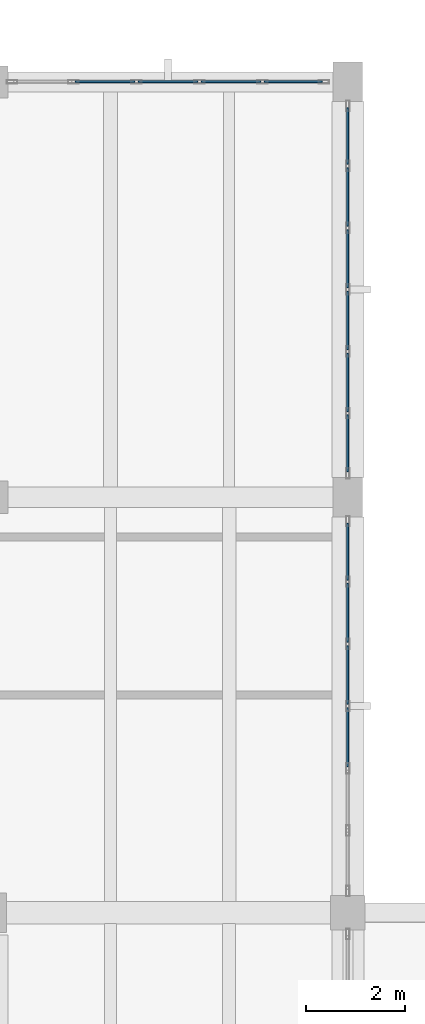
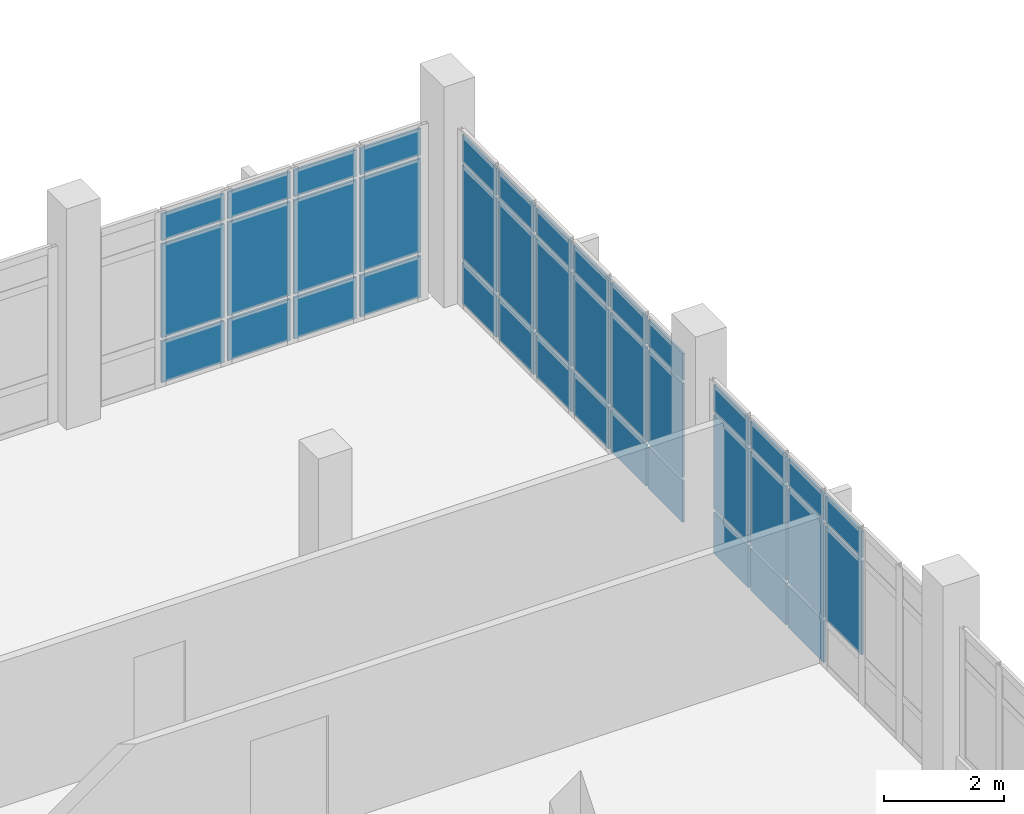
# One storey, part 103 of 124: 41 plates, 3 elements without a shape of their own.
"""IFC4 building model written with IfcOpenShell, lengths in metres."""

from ifc_helpers import new_model, si_unit, direction, frame, origin, origin_2d, place, context, subcontext, project, spatial, rectangle, extrude, material, layer, layer_set, type_object, element, aggregate, save


model = new_model("IFC4")

# Units and contexts
model_context = context("Model", 3, precision=1e-05, world=origin(), true_north=direction((0.0, 1.0)))
body_context = subcontext(model_context, "Body", "Model", "MODEL_VIEW")
ifc_project = project(units=[si_unit("LENGTHUNIT", "METRE"), si_unit("AREAUNIT", "SQUARE_METRE"), si_unit("VOLUMEUNIT", "CUBIC_METRE"), si_unit("PLANEANGLEUNIT", "RADIAN"), si_unit("MASSUNIT", "GRAM", prefix="KILO")], contexts=[model_context])

# Site, building, storey
site_placement = place(None, origin())
site = spatial("IfcSite", under=ifc_project, at=site_placement, CompositionType="ELEMENT")
building_placement = place(site_placement, origin())
building = spatial("IfcBuilding", under=site, at=building_placement, Name="Kalluvel Institute of Natural Sciences", CompositionType="ELEMENT")
storey_placement = place(building_placement, frame((0.0, 0.0, 9.89990234375)))
storey = spatial("IfcBuildingStorey", under=building, at=storey_placement, Name="L02", CompositionType="ELEMENT", Elevation=9.89990234375)

# Curtain wall, plates
ifc_material_1 = material(Name="Aluminium AW-6063 T6", Category="aluminium")
curtain_wall_type = type_object("IfcCurtainWallType", Name="CW-WET-45", PredefinedType="USERDEFINED", material=ifc_material_1)
curtain_wall_1_placement = place(storey_placement, origin())
curtain_wall_1 = element("IfcCurtainWall", 1, at=curtain_wall_1_placement, inside=storey, type_object=curtain_wall_type, Name="L02 Gothic lancet curtain wall CWA-L02-X1080-Y1280", ObjectType="UNITISED LANCET FACADE", PredefinedType="USERDEFINED")
ifc_material_2 = material(Name="Solar-Control Low-E Laminated Glass", Category="glass")
ifc_layer = layer(ifc_material_2, 0.0400390625)
ifc_layer_set = layer_set([ifc_layer], Name="Solar-Control Low-E Laminated Glass")
plate_type = type_object("IfcPlateType", Name="CWP-SPN-40", PredefinedType="CURTAIN_PANEL", material=ifc_layer_set)
plate_1_placement = place(storey_placement, frame((109.887451171875, 128.0, 0.0703125), z_axis=(0.0, 0.0, 1.0), x_axis=(1.0, 0.0, 0.0)))
plate_1 = element("IfcPlate", 2, at=plate_1_placement, type_object=plate_type, Name="CW-01 panel 2.1", PredefinedType="CURTAIN_PANEL", context=body_context, shape_type="SweptSolid", body=[
    extrude(rectangle(XDim=1.205078125, YDim=0.0400390625, at=origin_2d()), origin(), (0.0, 0.0, 1.0), 0.844970703125),
])
plate_2_placement = place(storey_placement, frame((109.887451171875, 128.0, 0.9853515625), z_axis=(0.0, 0.0, 1.0), x_axis=(1.0, 0.0, 0.0)))
plate_2 = element("IfcPlate", 3, at=plate_2_placement, type_object=plate_type, Name="CW-01 panel 2.2", PredefinedType="CURTAIN_PANEL", context=body_context, shape_type="SweptSolid", body=[
    extrude(rectangle(XDim=1.205078125, YDim=0.0400390625, at=origin_2d()), origin(), (0.0, 0.0, 1.0), 1.909912109375),
])
plate_3_placement = place(storey_placement, frame((109.887451171875, 128.0, 2.965087890625), z_axis=(0.0, 0.0, 1.0), x_axis=(1.0, 0.0, 0.0)))
plate_3 = element("IfcPlate", 4, at=plate_3_placement, type_object=plate_type, Name="CW-01 panel 2.3", PredefinedType="CURTAIN_PANEL", context=body_context, shape_type="SweptSolid", body=[
    extrude(rectangle(XDim=1.205078125, YDim=0.0400390625, at=origin_2d()), origin(), (0.0, 0.0, 1.0), 0.544921875),
])
plate_4_placement = place(storey_placement, frame((111.16259765625, 128.0, 0.0703125), z_axis=(0.0, 0.0, 1.0), x_axis=(1.0, 0.0, 0.0)))
plate_4 = element("IfcPlate", 5, at=plate_4_placement, type_object=plate_type, Name="CW-01 panel 3.1", PredefinedType="CURTAIN_PANEL", context=body_context, shape_type="SweptSolid", body=[
    extrude(rectangle(XDim=1.205078125, YDim=0.0400390625, at=origin_2d()), origin(), (0.0, 0.0, 1.0), 0.844970703125),
])
plate_5_placement = place(storey_placement, frame((111.16259765625, 128.0, 0.9853515625), z_axis=(0.0, 0.0, 1.0), x_axis=(1.0, 0.0, 0.0)))
plate_5 = element("IfcPlate", 6, at=plate_5_placement, type_object=plate_type, Name="CW-01 panel 3.2", PredefinedType="CURTAIN_PANEL", context=body_context, shape_type="SweptSolid", body=[
    extrude(rectangle(XDim=1.205078125, YDim=0.0400390625, at=origin_2d()), origin(), (0.0, 0.0, 1.0), 1.909912109375),
])
plate_6_placement = place(storey_placement, frame((111.16259765625, 128.0, 2.965087890625), z_axis=(0.0, 0.0, 1.0), x_axis=(1.0, 0.0, 0.0)))
plate_6 = element("IfcPlate", 7, at=plate_6_placement, type_object=plate_type, Name="CW-01 panel 3.3", PredefinedType="CURTAIN_PANEL", context=body_context, shape_type="SweptSolid", body=[
    extrude(rectangle(XDim=1.205078125, YDim=0.0400390625, at=origin_2d()), origin(), (0.0, 0.0, 1.0), 0.544921875),
])
plate_7_placement = place(storey_placement, frame((112.4375, 128.0, 0.0703125), z_axis=(0.0, 0.0, 1.0), x_axis=(1.0, 0.0, 0.0)))
plate_7 = element("IfcPlate", 8, at=plate_7_placement, type_object=plate_type, Name="CW-01 panel 4.1", PredefinedType="CURTAIN_PANEL", context=body_context, shape_type="SweptSolid", body=[
    extrude(rectangle(XDim=1.205078125, YDim=0.0400390625, at=origin_2d()), origin(), (0.0, 0.0, 1.0), 0.844970703125),
])
plate_8_placement = place(storey_placement, frame((112.4375, 128.0, 0.9853515625), z_axis=(0.0, 0.0, 1.0), x_axis=(1.0, 0.0, 0.0)))
plate_8 = element("IfcPlate", 9, at=plate_8_placement, type_object=plate_type, Name="CW-01 panel 4.2", PredefinedType="CURTAIN_PANEL", context=body_context, shape_type="SweptSolid", body=[
    extrude(rectangle(XDim=1.205078125, YDim=0.0400390625, at=origin_2d()), origin(), (0.0, 0.0, 1.0), 1.909912109375),
])
plate_9_placement = place(storey_placement, frame((112.4375, 128.0, 2.965087890625), z_axis=(0.0, 0.0, 1.0), x_axis=(1.0, 0.0, 0.0)))
plate_9 = element("IfcPlate", 10, at=plate_9_placement, type_object=plate_type, Name="CW-01 panel 4.3", PredefinedType="CURTAIN_PANEL", context=body_context, shape_type="SweptSolid", body=[
    extrude(rectangle(XDim=1.205078125, YDim=0.0400390625, at=origin_2d()), origin(), (0.0, 0.0, 1.0), 0.544921875),
])
plate_10_placement = place(storey_placement, frame((113.695068359375, 128.0, 0.0703125), z_axis=(0.0, 0.0, 1.0), x_axis=(1.0, 0.0, 0.0)))
plate_10 = element("IfcPlate", 11, at=plate_10_placement, type_object=plate_type, Name="CW-01 panel 5.1", PredefinedType="CURTAIN_PANEL", context=body_context, shape_type="SweptSolid", body=[
    extrude(rectangle(XDim=1.169921875, YDim=0.0400390625, at=origin_2d()), origin(), (0.0, 0.0, 1.0), 0.844970703125),
])
plate_11_placement = place(storey_placement, frame((113.695068359375, 128.0, 0.9853515625), z_axis=(0.0, 0.0, 1.0), x_axis=(1.0, 0.0, 0.0)))
plate_11 = element("IfcPlate", 12, at=plate_11_placement, type_object=plate_type, Name="CW-01 panel 5.2", PredefinedType="CURTAIN_PANEL", context=body_context, shape_type="SweptSolid", body=[
    extrude(rectangle(XDim=1.169921875, YDim=0.0400390625, at=origin_2d()), origin(), (0.0, 0.0, 1.0), 1.909912109375),
])
plate_12_placement = place(storey_placement, frame((113.695068359375, 128.0, 2.965087890625), z_axis=(0.0, 0.0, 1.0), x_axis=(1.0, 0.0, 0.0)))
plate_12 = element("IfcPlate", 13, at=plate_12_placement, type_object=plate_type, Name="CW-01 panel 5.3", PredefinedType="CURTAIN_PANEL", context=body_context, shape_type="SweptSolid", body=[
    extrude(rectangle(XDim=1.169921875, YDim=0.0400390625, at=origin_2d()), origin(), (0.0, 0.0, 1.0), 0.544921875),
])
aggregate(curtain_wall_1, [plate_1, plate_2, plate_3, plate_4, plate_5, plate_6, plate_7, plate_8, plate_9, plate_10, plate_11, plate_12])

curtain_wall_2_placement = place(storey_placement, origin())
curtain_wall_2 = element("IfcCurtainWall", 14, at=curtain_wall_2_placement, inside=storey, type_object=curtain_wall_type, Name="L02 Gothic lancet curtain wall CWA-L02-X1148-Y1116", ObjectType="UNITISED LANCET FACADE", PredefinedType="USERDEFINED")
plate_13_placement = place(storey_placement, frame((114.800048828125, 114.745849609375, 0.9853515625), z_axis=(0.0, 0.0, 1.0), x_axis=(0.0, 1.0, 0.0)))
plate_13 = element("IfcPlate", 15, at=plate_13_placement, type_object=plate_type, Name="CW-01 panel 3.2", PredefinedType="CURTAIN_PANEL", context=body_context, shape_type="SweptSolid", body=[
    extrude(rectangle(XDim=1.188232421875, YDim=0.0400390625, at=origin_2d()), origin(), (0.0, 0.0, 1.0), 1.909912109375),
])
plate_14_placement = place(storey_placement, frame((114.800048828125, 114.745849609375, 2.965087890625), z_axis=(0.0, 0.0, 1.0), x_axis=(0.0, 1.0, 0.0)))
plate_14 = element("IfcPlate", 16, at=plate_14_placement, type_object=plate_type, Name="CW-01 panel 3.3", PredefinedType="CURTAIN_PANEL", context=body_context, shape_type="SweptSolid", body=[
    extrude(rectangle(XDim=1.188232421875, YDim=0.0400390625, at=origin_2d()), origin(), (0.0, 0.0, 1.0), 0.544921875),
])
plate_15_placement = place(storey_placement, frame((114.800048828125, 116.004150390625, 0.0703125), z_axis=(0.0, 0.0, 1.0), x_axis=(0.0, 1.0, 0.0)))
plate_15 = element("IfcPlate", 17, at=plate_15_placement, type_object=plate_type, Name="CW-01 panel 4.1", PredefinedType="CURTAIN_PANEL", context=body_context, shape_type="SweptSolid", body=[
    extrude(rectangle(XDim=1.188232421875, YDim=0.0400390625, at=origin_2d()), origin(), (0.0, 0.0, 1.0), 0.844970703125),
])
plate_16_placement = place(storey_placement, frame((114.800048828125, 116.004150390625, 0.9853515625), z_axis=(0.0, 0.0, 1.0), x_axis=(0.0, 1.0, 0.0)))
plate_16 = element("IfcPlate", 18, at=plate_16_placement, type_object=plate_type, Name="CW-01 panel 4.2", PredefinedType="CURTAIN_PANEL", context=body_context, shape_type="SweptSolid", body=[
    extrude(rectangle(XDim=1.188232421875, YDim=0.0400390625, at=origin_2d()), origin(), (0.0, 0.0, 1.0), 1.909912109375),
])
plate_17_placement = place(storey_placement, frame((114.800048828125, 116.004150390625, 2.965087890625), z_axis=(0.0, 0.0, 1.0), x_axis=(0.0, 1.0, 0.0)))
plate_17 = element("IfcPlate", 19, at=plate_17_placement, type_object=plate_type, Name="CW-01 panel 4.3", PredefinedType="CURTAIN_PANEL", context=body_context, shape_type="SweptSolid", body=[
    extrude(rectangle(XDim=1.188232421875, YDim=0.0400390625, at=origin_2d()), origin(), (0.0, 0.0, 1.0), 0.544921875),
])
plate_18_placement = place(storey_placement, frame((114.800048828125, 117.262451171875, 0.0703125), z_axis=(0.0, 0.0, 1.0), x_axis=(0.0, 1.0, 0.0)))
plate_18 = element("IfcPlate", 20, at=plate_18_placement, type_object=plate_type, Name="CW-01 panel 5.1", PredefinedType="CURTAIN_PANEL", context=body_context, shape_type="SweptSolid", body=[
    extrude(rectangle(XDim=1.188232421875, YDim=0.0400390625, at=origin_2d()), origin(), (0.0, 0.0, 1.0), 0.844970703125),
])
plate_19_placement = place(storey_placement, frame((114.800048828125, 117.262451171875, 0.9853515625), z_axis=(0.0, 0.0, 1.0), x_axis=(0.0, 1.0, 0.0)))
plate_19 = element("IfcPlate", 21, at=plate_19_placement, type_object=plate_type, Name="CW-01 panel 5.2", PredefinedType="CURTAIN_PANEL", context=body_context, shape_type="SweptSolid", body=[
    extrude(rectangle(XDim=1.188232421875, YDim=0.0400390625, at=origin_2d()), origin(), (0.0, 0.0, 1.0), 1.909912109375),
])
plate_20_placement = place(storey_placement, frame((114.800048828125, 117.262451171875, 2.965087890625), z_axis=(0.0, 0.0, 1.0), x_axis=(0.0, 1.0, 0.0)))
plate_20 = element("IfcPlate", 22, at=plate_20_placement, type_object=plate_type, Name="CW-01 panel 5.3", PredefinedType="CURTAIN_PANEL", context=body_context, shape_type="SweptSolid", body=[
    extrude(rectangle(XDim=1.188232421875, YDim=0.0400390625, at=origin_2d()), origin(), (0.0, 0.0, 1.0), 0.544921875),
])
plate_21_placement = place(storey_placement, frame((114.800048828125, 118.50341796875, 0.0703125), z_axis=(0.0, 0.0, 1.0), x_axis=(0.0, 1.0, 0.0)))
plate_21 = element("IfcPlate", 23, at=plate_21_placement, type_object=plate_type, Name="CW-01 panel 6.1", PredefinedType="CURTAIN_PANEL", context=body_context, shape_type="SweptSolid", body=[
    extrude(rectangle(XDim=1.1533203125, YDim=0.0400390625, at=origin_2d()), origin(), (0.0, 0.0, 1.0), 0.844970703125),
])
plate_22_placement = place(storey_placement, frame((114.800048828125, 118.50341796875, 0.9853515625), z_axis=(0.0, 0.0, 1.0), x_axis=(0.0, 1.0, 0.0)))
plate_22 = element("IfcPlate", 24, at=plate_22_placement, type_object=plate_type, Name="CW-01 panel 6.2", PredefinedType="CURTAIN_PANEL", context=body_context, shape_type="SweptSolid", body=[
    extrude(rectangle(XDim=1.1533203125, YDim=0.0400390625, at=origin_2d()), origin(), (0.0, 0.0, 1.0), 1.909912109375),
])
plate_23_placement = place(storey_placement, frame((114.800048828125, 118.50341796875, 2.965087890625), z_axis=(0.0, 0.0, 1.0), x_axis=(0.0, 1.0, 0.0)))
plate_23 = element("IfcPlate", 25, at=plate_23_placement, type_object=plate_type, Name="CW-01 panel 6.3", PredefinedType="CURTAIN_PANEL", context=body_context, shape_type="SweptSolid", body=[
    extrude(rectangle(XDim=1.1533203125, YDim=0.0400390625, at=origin_2d()), origin(), (0.0, 0.0, 1.0), 0.544921875),
])
aggregate(curtain_wall_2, [plate_13, plate_14, plate_15, plate_16, plate_17, plate_18, plate_19, plate_20, plate_21, plate_22, plate_23])

curtain_wall_3_placement = place(storey_placement, origin())
curtain_wall_3 = element("IfcCurtainWall", 26, at=curtain_wall_3_placement, inside=storey, type_object=curtain_wall_type, Name="L02 Gothic lancet curtain wall CWA-L02-X1148-Y1200", ObjectType="UNITISED LANCET FACADE", PredefinedType="USERDEFINED")
plate_24_placement = place(storey_placement, frame((114.800048828125, 120.6923828125, 0.0703125), z_axis=(0.0, 0.0, 1.0), x_axis=(0.0, 1.0, 0.0)))
plate_24 = element("IfcPlate", 27, at=plate_24_placement, type_object=plate_type, Name="CW-01 panel 1.1", PredefinedType="CURTAIN_PANEL", context=body_context, shape_type="SweptSolid", body=[
    extrude(rectangle(XDim=1.14501953125, YDim=0.0400390625, at=origin_2d()), origin(), (0.0, 0.0, 1.0), 0.844970703125),
])
plate_25_placement = place(storey_placement, frame((114.800048828125, 120.6923828125, 0.9853515625), z_axis=(0.0, 0.0, 1.0), x_axis=(0.0, 1.0, 0.0)))
plate_25 = element("IfcPlate", 28, at=plate_25_placement, type_object=plate_type, Name="CW-01 panel 1.2", PredefinedType="CURTAIN_PANEL", context=body_context, shape_type="SweptSolid", body=[
    extrude(rectangle(XDim=1.14501953125, YDim=0.0400390625, at=origin_2d()), origin(), (0.0, 0.0, 1.0), 1.909912109375),
])
plate_26_placement = place(storey_placement, frame((114.800048828125, 120.6923828125, 2.965087890625), z_axis=(0.0, 0.0, 1.0), x_axis=(0.0, 1.0, 0.0)))
plate_26 = element("IfcPlate", 29, at=plate_26_placement, type_object=plate_type, Name="CW-01 panel 1.3", PredefinedType="CURTAIN_PANEL", context=body_context, shape_type="SweptSolid", body=[
    extrude(rectangle(XDim=1.14501953125, YDim=0.0400390625, at=origin_2d()), origin(), (0.0, 0.0, 1.0), 0.544921875),
])
plate_27_placement = place(storey_placement, frame((114.800048828125, 121.925048828125, 0.0703125), z_axis=(0.0, 0.0, 1.0), x_axis=(0.0, 1.0, 0.0)))
plate_27 = element("IfcPlate", 30, at=plate_27_placement, type_object=plate_type, Name="CW-01 panel 2.1", PredefinedType="CURTAIN_PANEL", context=body_context, shape_type="SweptSolid", body=[
    extrude(rectangle(XDim=1.179931640625, YDim=0.0400390625, at=origin_2d()), origin(), (0.0, 0.0, 1.0), 0.844970703125),
])
plate_28_placement = place(storey_placement, frame((114.800048828125, 121.925048828125, 0.9853515625), z_axis=(0.0, 0.0, 1.0), x_axis=(0.0, 1.0, 0.0)))
plate_28 = element("IfcPlate", 31, at=plate_28_placement, type_object=plate_type, Name="CW-01 panel 2.2", PredefinedType="CURTAIN_PANEL", context=body_context, shape_type="SweptSolid", body=[
    extrude(rectangle(XDim=1.179931640625, YDim=0.0400390625, at=origin_2d()), origin(), (0.0, 0.0, 1.0), 1.909912109375),
])
plate_29_placement = place(storey_placement, frame((114.800048828125, 121.925048828125, 2.965087890625), z_axis=(0.0, 0.0, 1.0), x_axis=(0.0, 1.0, 0.0)))
plate_29 = element("IfcPlate", 32, at=plate_29_placement, type_object=plate_type, Name="CW-01 panel 2.3", PredefinedType="CURTAIN_PANEL", context=body_context, shape_type="SweptSolid", body=[
    extrude(rectangle(XDim=1.179931640625, YDim=0.0400390625, at=origin_2d()), origin(), (0.0, 0.0, 1.0), 0.544921875),
])
plate_30_placement = place(storey_placement, frame((114.800048828125, 123.175048828125, 0.0703125), z_axis=(0.0, 0.0, 1.0), x_axis=(0.0, 1.0, 0.0)))
plate_30 = element("IfcPlate", 33, at=plate_30_placement, type_object=plate_type, Name="CW-01 panel 3.1", PredefinedType="CURTAIN_PANEL", context=body_context, shape_type="SweptSolid", body=[
    extrude(rectangle(XDim=1.179931640625, YDim=0.0400390625, at=origin_2d()), origin(), (0.0, 0.0, 1.0), 0.844970703125),
])
plate_31_placement = place(storey_placement, frame((114.800048828125, 123.175048828125, 0.9853515625), z_axis=(0.0, 0.0, 1.0), x_axis=(0.0, 1.0, 0.0)))
plate_31 = element("IfcPlate", 34, at=plate_31_placement, type_object=plate_type, Name="CW-01 panel 3.2", PredefinedType="CURTAIN_PANEL", context=body_context, shape_type="SweptSolid", body=[
    extrude(rectangle(XDim=1.179931640625, YDim=0.0400390625, at=origin_2d()), origin(), (0.0, 0.0, 1.0), 1.909912109375),
])
plate_32_placement = place(storey_placement, frame((114.800048828125, 123.175048828125, 2.965087890625), z_axis=(0.0, 0.0, 1.0), x_axis=(0.0, 1.0, 0.0)))
plate_32 = element("IfcPlate", 35, at=plate_32_placement, type_object=plate_type, Name="CW-01 panel 3.3", PredefinedType="CURTAIN_PANEL", context=body_context, shape_type="SweptSolid", body=[
    extrude(rectangle(XDim=1.179931640625, YDim=0.0400390625, at=origin_2d()), origin(), (0.0, 0.0, 1.0), 0.544921875),
])
plate_33_placement = place(storey_placement, frame((114.800048828125, 124.425048828125, 0.0703125), z_axis=(0.0, 0.0, 1.0), x_axis=(0.0, 1.0, 0.0)))
plate_33 = element("IfcPlate", 36, at=plate_33_placement, type_object=plate_type, Name="CW-01 panel 4.1", PredefinedType="CURTAIN_PANEL", context=body_context, shape_type="SweptSolid", body=[
    extrude(rectangle(XDim=1.179931640625, YDim=0.0400390625, at=origin_2d()), origin(), (0.0, 0.0, 1.0), 0.844970703125),
])
plate_34_placement = place(storey_placement, frame((114.800048828125, 124.425048828125, 0.9853515625), z_axis=(0.0, 0.0, 1.0), x_axis=(0.0, 1.0, 0.0)))
plate_34 = element("IfcPlate", 37, at=plate_34_placement, type_object=plate_type, Name="CW-01 panel 4.2", PredefinedType="CURTAIN_PANEL", context=body_context, shape_type="SweptSolid", body=[
    extrude(rectangle(XDim=1.179931640625, YDim=0.0400390625, at=origin_2d()), origin(), (0.0, 0.0, 1.0), 1.909912109375),
])
plate_35_placement = place(storey_placement, frame((114.800048828125, 124.425048828125, 2.965087890625), z_axis=(0.0, 0.0, 1.0), x_axis=(0.0, 1.0, 0.0)))
plate_35 = element("IfcPlate", 38, at=plate_35_placement, type_object=plate_type, Name="CW-01 panel 4.3", PredefinedType="CURTAIN_PANEL", context=body_context, shape_type="SweptSolid", body=[
    extrude(rectangle(XDim=1.179931640625, YDim=0.0400390625, at=origin_2d()), origin(), (0.0, 0.0, 1.0), 0.544921875),
])
plate_36_placement = place(storey_placement, frame((114.800048828125, 125.675048828125, 0.0703125), z_axis=(0.0, 0.0, 1.0), x_axis=(0.0, 1.0, 0.0)))
plate_36 = element("IfcPlate", 39, at=plate_36_placement, type_object=plate_type, Name="CW-01 panel 5.1", PredefinedType="CURTAIN_PANEL", context=body_context, shape_type="SweptSolid", body=[
    extrude(rectangle(XDim=1.179931640625, YDim=0.0400390625, at=origin_2d()), origin(), (0.0, 0.0, 1.0), 0.844970703125),
])
plate_37_placement = place(storey_placement, frame((114.800048828125, 125.675048828125, 0.9853515625), z_axis=(0.0, 0.0, 1.0), x_axis=(0.0, 1.0, 0.0)))
plate_37 = element("IfcPlate", 40, at=plate_37_placement, type_object=plate_type, Name="CW-01 panel 5.2", PredefinedType="CURTAIN_PANEL", context=body_context, shape_type="SweptSolid", body=[
    extrude(rectangle(XDim=1.179931640625, YDim=0.0400390625, at=origin_2d()), origin(), (0.0, 0.0, 1.0), 1.909912109375),
])
plate_38_placement = place(storey_placement, frame((114.800048828125, 125.675048828125, 2.965087890625), z_axis=(0.0, 0.0, 1.0), x_axis=(0.0, 1.0, 0.0)))
plate_38 = element("IfcPlate", 41, at=plate_38_placement, type_object=plate_type, Name="CW-01 panel 5.3", PredefinedType="CURTAIN_PANEL", context=body_context, shape_type="SweptSolid", body=[
    extrude(rectangle(XDim=1.179931640625, YDim=0.0400390625, at=origin_2d()), origin(), (0.0, 0.0, 1.0), 0.544921875),
])
plate_39_placement = place(storey_placement, frame((114.800048828125, 126.907470703125, 0.0703125), z_axis=(0.0, 0.0, 1.0), x_axis=(0.0, 1.0, 0.0)))
plate_39 = element("IfcPlate", 42, at=plate_39_placement, type_object=plate_type, Name="CW-01 panel 6.1", PredefinedType="CURTAIN_PANEL", context=body_context, shape_type="SweptSolid", body=[
    extrude(rectangle(XDim=1.14501953125, YDim=0.0400390625, at=origin_2d()), origin(), (0.0, 0.0, 1.0), 0.844970703125),
])
plate_40_placement = place(storey_placement, frame((114.800048828125, 126.907470703125, 0.9853515625), z_axis=(0.0, 0.0, 1.0), x_axis=(0.0, 1.0, 0.0)))
plate_40 = element("IfcPlate", 43, at=plate_40_placement, type_object=plate_type, Name="CW-01 panel 6.2", PredefinedType="CURTAIN_PANEL", context=body_context, shape_type="SweptSolid", body=[
    extrude(rectangle(XDim=1.14501953125, YDim=0.0400390625, at=origin_2d()), origin(), (0.0, 0.0, 1.0), 1.909912109375),
])
plate_41_placement = place(storey_placement, frame((114.800048828125, 126.907470703125, 2.965087890625), z_axis=(0.0, 0.0, 1.0), x_axis=(0.0, 1.0, 0.0)))
plate_41 = element("IfcPlate", 44, at=plate_41_placement, type_object=plate_type, Name="CW-01 panel 6.3", PredefinedType="CURTAIN_PANEL", context=body_context, shape_type="SweptSolid", body=[
    extrude(rectangle(XDim=1.14501953125, YDim=0.0400390625, at=origin_2d()), origin(), (0.0, 0.0, 1.0), 0.544921875),
])
aggregate(curtain_wall_3, [plate_24, plate_25, plate_26, plate_27, plate_28, plate_29, plate_30, plate_31, plate_32, plate_33, plate_34, plate_35, plate_36, plate_37, plate_38, plate_39, plate_40, plate_41])

save(model, "model.ifc")
